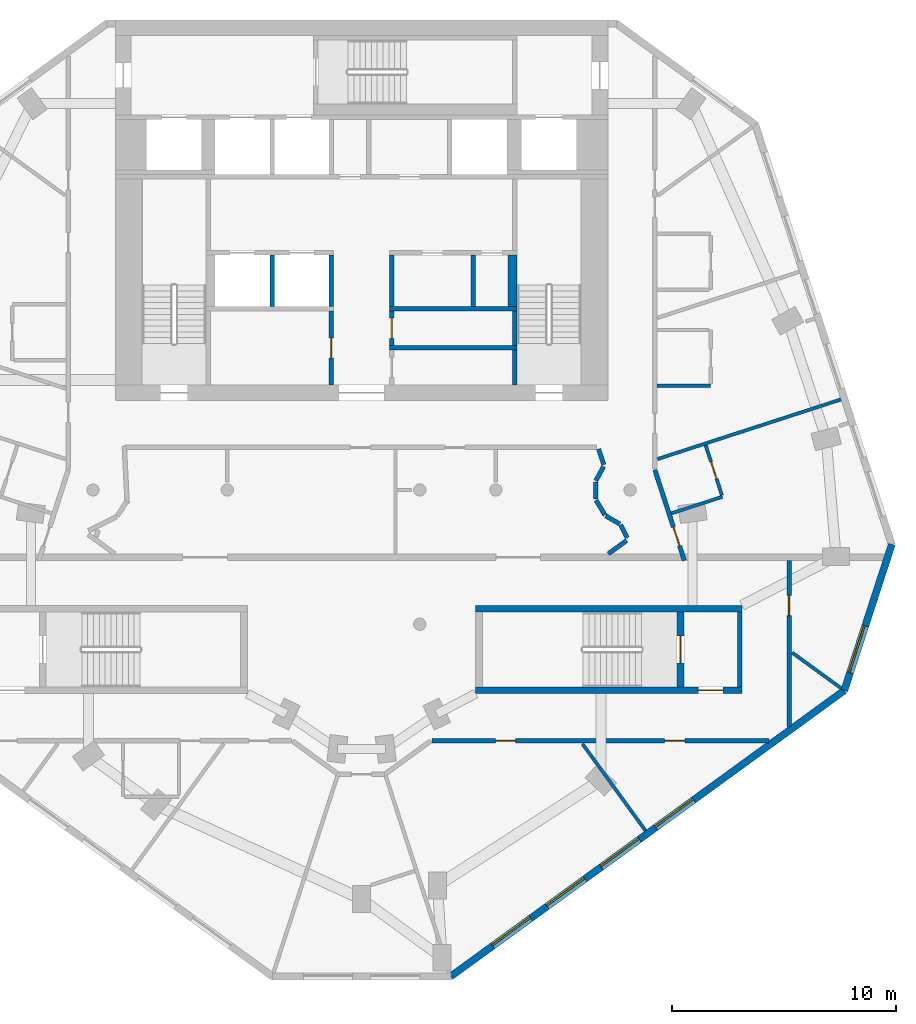
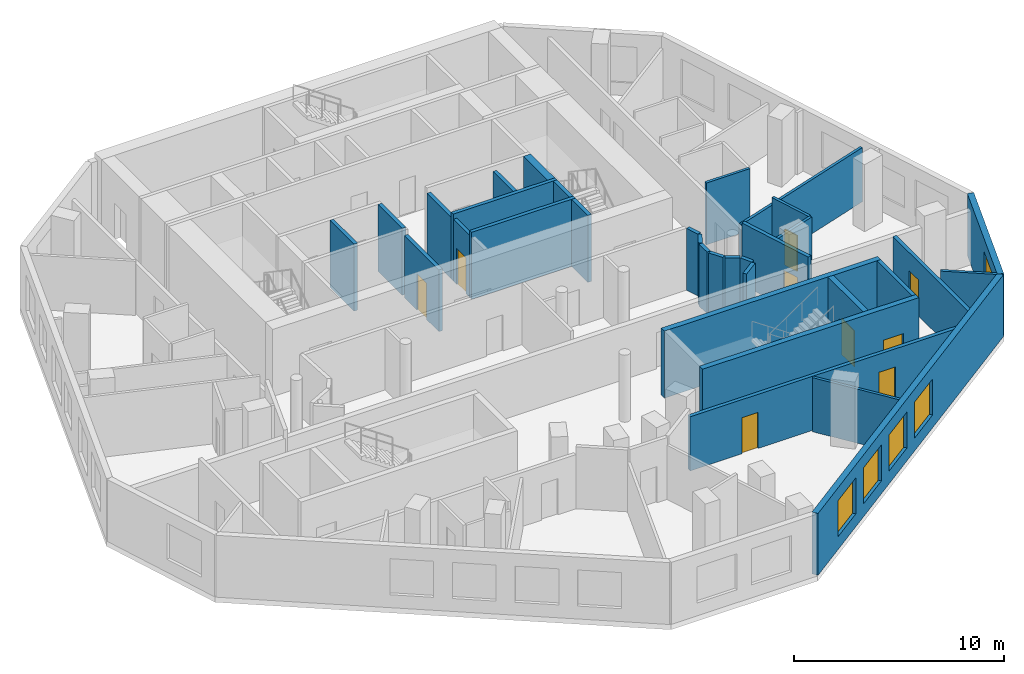
# One storey, part 4 of 9: 33 walls, 9 doors, 5 windows, 14 openings.
"""IFC4 building model written with IfcOpenShell, lengths in metres."""

from ifc_helpers import new_model, si_unit, direction, frame, frame_2d, origin, place, context, subcontext, project, spatial, rectangle, extrude, material, layer, layer_set, type_object, element, fill, save


model = new_model("IFC4")

# Units and contexts
model_context = context("Model", 3, precision=1e-05, world=origin(), true_north=direction((0.0, 1.0)))
body_context = subcontext(model_context, "Body", "Model", "MODEL_VIEW")
ifc_project = project(units=[si_unit("LENGTHUNIT", "METRE"), si_unit("AREAUNIT", "SQUARE_METRE"), si_unit("VOLUMEUNIT", "CUBIC_METRE"), si_unit("PLANEANGLEUNIT", "RADIAN"), si_unit("MASSUNIT", "GRAM", prefix="KILO")], contexts=[model_context])

# Site, building, storey
site_placement = place(None, origin())
site = spatial("IfcSite", under=ifc_project, at=site_placement, CompositionType="ELEMENT")
building_placement = place(site_placement, origin())
building = spatial("IfcBuilding", under=site, at=building_placement, Name="White Candle Pilgrim Tower", CompositionType="ELEMENT")
storey_placement = place(building_placement, frame((0.0, 0.0, 256.10009765625)))
storey = spatial("IfcBuildingStorey", under=building, at=storey_placement, Name="L60", CompositionType="ELEMENT", Elevation=256.10009765625)

# Wall
ifc_material_1 = material(Name="Concrete C50/60", Category="concrete")
ifc_layer_1 = layer(ifc_material_1, 0.199951171875)
ifc_layer_set_1 = layer_set([ifc_layer_1], Name="Core wall 200 mm Concrete C50/60")
wall_type_1 = type_object("IfcWallType", Name="Core wall 200 mm Concrete C50/60", PredefinedType="SHEAR", material=ifc_layer_set_1)
wall_1_placement = place(storey_placement, frame((86.89990234375, 58.199951171875, 0.0), z_axis=(0.0, 0.0, 1.0), x_axis=(0.0, 1.0, 0.0)))
element("IfcWall", 1, at=wall_1_placement, inside=storey, type_object=wall_type_1, Name="WL-L60-C08", PredefinedType="SHEAR", context=body_context, shape_type="SweptSolid", body=[
    extrude(rectangle(XDim=3.35009765625, YDim=0.199951171875, at=frame_2d((1.675048828125, 0.0))), origin(), (0.0, 0.0, 1.0), 3.89990234375),
])

# Wall, opening, door
ifc_material_2 = material(Name="Gypsum board on steel studs", Category="steel")
ifc_layer_2 = layer(ifc_material_2, 0.199951171875)
ifc_layer_set_2 = layer_set([ifc_layer_2], Name="Corridor wall 200 mm EI 45")
wall_type_2 = type_object("IfcWallType", Name="Corridor wall 200 mm EI 45", PredefinedType="PARTITIONING", material=ifc_layer_set_2)
wall_2_placement = place(storey_placement, frame((83.10498046875, 67.8974609375, 0.0), z_axis=(0.0, 0.0, 1.0), x_axis=(0.308990077211, -0.951065261791, 0.0)))
wall_2 = element("IfcWall", 2, at=wall_2_placement, inside=storey, type_object=wall_type_2, Name="WL-L60-P005", PredefinedType="PARTITIONING", context=body_context, shape_type="SweptSolid", body=[
    extrude(rectangle(XDim=4.255615234375, YDim=0.199951171875, at=frame_2d((2.1279296875, 0.0))), origin(), (0.0, 0.0, 1.0), 3.599853515625),
])
opening_1_placement = place(wall_2_placement, frame((2.675537109375, 0.0, 0.0)))
opening_1 = element("IfcOpeningElement", 3, at=opening_1_placement, cuts=wall_2, Name="Opening T18-124", PredefinedType="OPENING", context=body_context, shape_type="SweptSolid", body=[
    extrude(rectangle(XDim=0.89990234375, YDim=2.10009765625, at=frame_2d((0.449951171875, 1.050048828125))), frame((0.0, 0.10986328125, 0.0), z_axis=(0.0, -1.0, 0.0), x_axis=(1.0, 0.0, 0.0)), (0.0, 0.0, 1.0), 0.219970703125),
])
ifc_material_3 = material(Name="Steel door leaf", Category="steel")
door_type_1 = type_object("IfcDoorType", Name="Fire door 900 x 2100 EI 30", OperationType="NOTDEFINED", PredefinedType="DOOR", material=ifc_material_3)
door_1_placement = place(opening_1_placement, origin())
door_1 = element("IfcDoor", 4, at=door_1_placement, inside=storey, type_object=door_type_1, Name="Door T18-124", OperationType="SINGLE_SWING_RIGHT", OverallHeight=2.10009765625, OverallWidth=0.89990234375, PredefinedType="DOOR", context=body_context, shape_type="SweptSolid", body=[
    extrude(rectangle(XDim=0.89990234375, YDim=2.10009765625, at=frame_2d((0.449951171875, 1.050048828125))), frame((0.0, 0.02490234375, 0.0), z_axis=(0.0, -1.0, 0.0), x_axis=(1.0, 0.0, 0.0)), (0.0, 0.0, 1.0), 0.050048828125),
])
fill(opening_1, door_1)

wall_3_placement = place(storey_placement, frame((89.10009765625, 63.85009765625, 0.0), z_axis=(0.0, 0.0, 1.0), x_axis=(0.0, -1.0, 0.0)))
wall_3 = element("IfcWall", 5, at=wall_3_placement, inside=storey, type_object=wall_type_2, Name="WL-L60-P006", PredefinedType="PARTITIONING", context=body_context, shape_type="SweptSolid", body=[
    extrude(rectangle(XDim=7.40673828125, YDim=0.199951171875, at=frame_2d((3.703369140625, 0.0))), origin(), (0.0, 0.0, 1.0), 3.14990234375),
])
opening_2_placement = place(wall_3_placement, frame((1.5576171875, 0.0, 0.0)))
opening_2 = element("IfcOpeningElement", 6, at=opening_2_placement, cuts=wall_3, Name="Opening T18-111", PredefinedType="OPENING", context=body_context, shape_type="SweptSolid", body=[
    extrude(rectangle(XDim=0.89990234375, YDim=2.10009765625, at=frame_2d((0.449951171875, 1.050048828125))), frame((0.0, 0.10986328125, 0.0), z_axis=(0.0, -1.0, 0.0), x_axis=(1.0, 0.0, 0.0)), (0.0, 0.0, 1.0), 0.219970703125),
])
door_2_placement = place(opening_2_placement, origin())
door_2 = element("IfcDoor", 7, at=door_2_placement, inside=storey, type_object=door_type_1, Name="Door T18-111", OperationType="SINGLE_SWING_LEFT", OverallHeight=2.10009765625, OverallWidth=0.89990234375, PredefinedType="DOOR", context=body_context, shape_type="SweptSolid", body=[
    extrude(rectangle(XDim=0.89990234375, YDim=2.10009765625, at=frame_2d((0.449951171875, 1.050048828125))), frame((0.0, 0.02490234375, 0.0), z_axis=(0.0, -1.0, 0.0), x_axis=(1.0, 0.0, 0.0)), (0.0, 0.0, 1.0), 0.050048828125),
])
fill(opening_2, door_2)

# Wall, openings, doors
wall_4_placement = place(storey_placement, frame((88.21435546875, 55.800048828125, 0.0), z_axis=(0.0, 0.0, 1.0), x_axis=(-1.0, 0.0, 0.0)))
wall_4 = element("IfcWall", 8, at=wall_4_placement, inside=storey, type_object=wall_type_2, Name="WL-L60-P007", PredefinedType="PARTITIONING", context=body_context, shape_type="SweptSolid", body=[
    extrude(rectangle(XDim=15.074951171875, YDim=0.199951171875, at=frame_2d((7.53759765625, 0.0))), origin(), (0.0, 0.0, 1.0), 3.14990234375),
])
opening_3_placement = place(wall_4_placement, frame((11.327392578125, 0.0, 0.0)))
opening_3 = element("IfcOpeningElement", 9, at=opening_3_placement, cuts=wall_4, Name="Opening T18-109", PredefinedType="OPENING", context=body_context, shape_type="SweptSolid", body=[
    extrude(rectangle(XDim=0.89990234375, YDim=2.10009765625, at=frame_2d((0.449951171875, 1.050048828125))), frame((0.0, 0.10986328125, 0.0), z_axis=(0.0, -1.0, 0.0), x_axis=(1.0, 0.0, 0.0)), (0.0, 0.0, 1.0), 0.219970703125),
])
opening_4_placement = place(wall_4_placement, frame((3.773681640625, 0.0, 0.0)))
opening_4 = element("IfcOpeningElement", 10, at=opening_4_placement, cuts=wall_4, Name="Opening T18-110", PredefinedType="OPENING", context=body_context, shape_type="SweptSolid", body=[
    extrude(rectangle(XDim=0.89990234375, YDim=2.10009765625, at=frame_2d((0.449951171875, 1.050048828125))), frame((0.0, 0.10986328125, 0.0), z_axis=(0.0, -1.0, 0.0), x_axis=(1.0, 0.0, 0.0)), (0.0, 0.0, 1.0), 0.219970703125),
])
door_3_placement = place(opening_3_placement, origin())
door_3 = element("IfcDoor", 11, at=door_3_placement, inside=storey, type_object=door_type_1, Name="Door T18-109", OperationType="SINGLE_SWING_LEFT", OverallHeight=2.10009765625, OverallWidth=0.89990234375, PredefinedType="DOOR", context=body_context, shape_type="SweptSolid", body=[
    extrude(rectangle(XDim=0.89990234375, YDim=2.10009765625, at=frame_2d((0.449951171875, 1.050048828125))), frame((0.0, 0.02490234375, 0.0), z_axis=(0.0, -1.0, 0.0), x_axis=(1.0, 0.0, 0.0)), (0.0, 0.0, 1.0), 0.050048828125),
])
fill(opening_3, door_3)
door_4_placement = place(opening_4_placement, origin())
door_4 = element("IfcDoor", 12, at=door_4_placement, inside=storey, type_object=door_type_1, Name="Door T18-110", OperationType="SINGLE_SWING_RIGHT", OverallHeight=2.10009765625, OverallWidth=0.89990234375, PredefinedType="DOOR", context=body_context, shape_type="SweptSolid", body=[
    extrude(rectangle(XDim=0.89990234375, YDim=2.10009765625, at=frame_2d((0.449951171875, 1.050048828125))), frame((0.0, 0.02490234375, 0.0), z_axis=(0.0, -1.0, 0.0), x_axis=(1.0, 0.0, 0.0)), (0.0, 0.0, 1.0), 0.050048828125),
])
fill(opening_4, door_4)

# Walls
wall_5_placement = place(storey_placement, frame((81.539306640625, 65.480224609375, 0.0), z_axis=(0.0, 0.0, 1.0), x_axis=(-0.866039913117, 0.499974868256, 0.0)))
element("IfcWall", 13, at=wall_5_placement, inside=storey, type_object=wall_type_2, Name="WL-L60-P013", PredefinedType="PARTITIONING", context=body_context, shape_type="SweptSolid", body=[
    extrude(rectangle(XDim=0.7255859375, YDim=0.199951171875, at=frame_2d((0.36279296875, 0.0))), origin(), (0.0, 0.0, 1.0), 3.599853515625),
])
wall_6_placement = place(storey_placement, frame((80.875, 65.87841796875, 0.0), z_axis=(0.0, 0.0, 1.0), x_axis=(-0.512310997374, 0.858800001147, 0.0)))
element("IfcWall", 14, at=wall_6_placement, inside=storey, type_object=wall_type_2, Name="WL-L60-P014", PredefinedType="PARTITIONING", context=body_context, shape_type="SweptSolid", body=[
    extrude(rectangle(XDim=0.77294921875, YDim=0.199951171875, at=frame_2d((0.386474609375, 0.0))), origin(), (0.0, 0.0, 1.0), 3.599853515625),
])
wall_7_placement = place(storey_placement, frame((80.46484375, 66.592041015625, 0.0), z_axis=(0.0, 0.0, 1.0), x_axis=(-0.014221064918, 0.999898875543, 0.0)))
element("IfcWall", 15, at=wall_7_placement, inside=storey, type_object=wall_type_2, Name="WL-L60-P015", PredefinedType="PARTITIONING", context=body_context, shape_type="SweptSolid", body=[
    extrude(rectangle(XDim=0.7724609375, YDim=0.199951171875, at=frame_2d((0.38623046875, 0.0))), origin(), (0.0, 0.0, 1.0), 3.599853515625),
])
wall_8_placement = place(storey_placement, frame((80.466064453125, 67.413818359375, 0.0), z_axis=(0.0, 0.0, 1.0), x_axis=(0.479205511967, 0.877702727181, 0.0)))
element("IfcWall", 16, at=wall_8_placement, inside=storey, type_object=wall_type_2, Name="WL-L60-P016", PredefinedType="PARTITIONING", context=body_context, shape_type="SweptSolid", body=[
    extrude(rectangle(XDim=0.72607421875, YDim=0.199951171875, at=frame_2d((0.363037109375, 0.0))), origin(), (0.0, 0.0, 1.0), 3.599853515625),
])
wall_9_placement = place(storey_placement, frame((80.8212890625, 68.1298828125, 0.0), z_axis=(0.0, 0.0, 1.0), x_axis=(-0.309063601395, 0.951041371494, 0.0)))
element("IfcWall", 17, at=wall_9_placement, inside=storey, type_object=wall_type_2, Name="WL-L60-P017", PredefinedType="PARTITIONING", context=body_context, shape_type="SweptSolid", body=[
    extrude(rectangle(XDim=0.737060546875, YDim=0.199951171875, at=frame_2d((0.36865234375, 0.0))), origin(), (0.0, 0.0, 1.0), 3.599853515625),
])
wall_10_placement = place(storey_placement, frame((81.02685546875, 64.14990234375, 0.0), z_axis=(0.0, 0.0, 1.0), x_axis=(0.808967693003, 0.587853103826, 0.0)))
element("IfcWall", 18, at=wall_10_placement, inside=storey, type_object=wall_type_2, Name="WL-L60-P023", PredefinedType="PARTITIONING", context=body_context, shape_type="SweptSolid", body=[
    extrude(rectangle(XDim=1.00244140625, YDim=0.199951171875, at=frame_2d((0.501220703125, 0.0))), origin(), (0.0, 0.0, 1.0), 3.599853515625),
])
wall_11_placement = place(storey_placement, frame((81.868408203125, 64.865234375, 0.0), z_axis=(0.0, 0.0, 1.0), x_axis=(-0.451009131745, 0.892519334851, 0.0)))
element("IfcWall", 19, at=wall_11_placement, inside=storey, type_object=wall_type_2, Name="WL-L60-P024", PredefinedType="PARTITIONING", context=body_context, shape_type="SweptSolid", body=[
    extrude(rectangle(XDim=0.642578125, YDim=0.199951171875, at=frame_2d((0.3212890625, 0.0))), origin(), (0.0, 0.0, 1.0), 3.599853515625),
])

# Wall, openings, windows
ifc_material_4 = material(Name="Precast concrete C40/50", Category="concrete")
ifc_layer_3 = layer(ifc_material_4, 0.320068359375)
ifc_layer_set_3 = layer_set([ifc_layer_3], Name="Facade wall EW1 precast concrete C40/50 pier wall with timber-lined reveals")
wall_type_3 = type_object("IfcWallType", Name="Facade wall EW1 precast concrete C40/50 pier wall with timber-lined reveals", PredefinedType="SOLIDWALL", material=ifc_layer_set_3)
wall_12_placement = place(storey_placement, frame((73.98876953125, 45.2666015625, 0.0), z_axis=(0.0, 0.0, 1.0), x_axis=(0.809018242367, 0.587783534575, 0.0)))
wall_12 = element("IfcWall", 20, at=wall_12_placement, inside=storey, type_object=wall_type_3, Name="Facade wall L60 SE", PredefinedType="SOLIDWALL", context=body_context, shape_type="SweptSolid", body=[
    extrude(rectangle(XDim=21.73193359375, YDim=0.320068359375, at=frame_2d((10.865966796875, 0.0))), origin(), (0.0, 0.0, 1.0), 3.599853515625),
])
opening_5_placement = place(wall_12_placement, frame((2.31591796875, 0.0, 0.75)))
opening_5 = element("IfcOpeningElement", 21, at=opening_5_placement, cuts=wall_12, Name="Opening W3", PredefinedType="OPENING", context=body_context, shape_type="SweptSolid", body=[
    extrude(rectangle(XDim=2.10009765625, YDim=2.10009765625, at=frame_2d((1.050048828125, 1.050048828125))), frame((0.0, 0.169921875, 0.0), z_axis=(0.0, -1.0, 0.0), x_axis=(1.0, 0.0, 0.0)), (0.0, 0.0, 1.0), 0.340087890625),
])
opening_6_placement = place(wall_12_placement, frame((5.31591796875, 0.0, 0.75)))
opening_6 = element("IfcOpeningElement", 22, at=opening_6_placement, cuts=wall_12, Name="Opening W3", PredefinedType="OPENING", context=body_context, shape_type="SweptSolid", body=[
    extrude(rectangle(XDim=2.10009765625, YDim=2.10009765625, at=frame_2d((1.050048828125, 1.050048828125))), frame((0.0, 0.169921875, 0.0), z_axis=(0.0, -1.0, 0.0), x_axis=(1.0, 0.0, 0.0)), (0.0, 0.0, 1.0), 0.340087890625),
])
opening_7_placement = place(wall_12_placement, frame((8.31591796875, 0.0, 0.75)))
opening_7 = element("IfcOpeningElement", 23, at=opening_7_placement, cuts=wall_12, Name="Opening W3", PredefinedType="OPENING", context=body_context, shape_type="SweptSolid", body=[
    extrude(rectangle(XDim=2.10009765625, YDim=2.10009765625, at=frame_2d((1.050048828125, 1.050048828125))), frame((0.0, 0.169921875, 0.0), z_axis=(0.0, -1.0, 0.0), x_axis=(1.0, 0.0, 0.0)), (0.0, 0.0, 1.0), 0.340087890625),
])
opening_8_placement = place(wall_12_placement, frame((11.31591796875, 0.0, 0.75)))
opening_8 = element("IfcOpeningElement", 24, at=opening_8_placement, cuts=wall_12, Name="Opening W3", PredefinedType="OPENING", context=body_context, shape_type="SweptSolid", body=[
    extrude(rectangle(XDim=2.10009765625, YDim=2.10009765625, at=frame_2d((1.050048828125, 1.050048828125))), frame((0.0, 0.169921875, 0.0), z_axis=(0.0, -1.0, 0.0), x_axis=(1.0, 0.0, 0.0)), (0.0, 0.0, 1.0), 0.340087890625),
])
ifc_material_5 = material(Name="Timber frame with triple glazing", Category="wood")
window_type_1 = type_object("IfcWindowType", Name="Window W3 2100x2100 timber frame triple glazing", PartitioningType="SINGLE_PANEL", PredefinedType="WINDOW", material=ifc_material_5)
window_1_placement = place(opening_5_placement, origin())
window_1 = element("IfcWindow", 25, at=window_1_placement, inside=storey, type_object=window_type_1, Name="Window W3 L60 SE 1", OverallHeight=2.10009765625, OverallWidth=2.10009765625, PartitioningType="SINGLE_PANEL", PredefinedType="WINDOW", context=body_context, shape_type="SweptSolid", body=[
    extrude(rectangle(XDim=2.10009765625, YDim=2.10009765625, at=frame_2d((1.050048828125, 1.050048828125))), frame((0.0, 0.070068359375, 0.0), z_axis=(0.0, -1.0, 0.0), x_axis=(1.0, 0.0, 0.0)), (0.0, 0.0, 1.0), 0.06005859375),
])
fill(opening_5, window_1)
window_2_placement = place(opening_6_placement, origin())
window_2 = element("IfcWindow", 26, at=window_2_placement, inside=storey, type_object=window_type_1, Name="Window W3 L60 SE 2", OverallHeight=2.10009765625, OverallWidth=2.10009765625, PartitioningType="SINGLE_PANEL", PredefinedType="WINDOW", context=body_context, shape_type="SweptSolid", body=[
    extrude(rectangle(XDim=2.10009765625, YDim=2.10009765625, at=frame_2d((1.050048828125, 1.050048828125))), frame((0.0, 0.070068359375, 0.0), z_axis=(0.0, -1.0, 0.0), x_axis=(1.0, 0.0, 0.0)), (0.0, 0.0, 1.0), 0.06005859375),
])
fill(opening_6, window_2)
window_3_placement = place(opening_7_placement, origin())
window_3 = element("IfcWindow", 27, at=window_3_placement, inside=storey, type_object=window_type_1, Name="Window W3 L60 SE 3", OverallHeight=2.10009765625, OverallWidth=2.10009765625, PartitioningType="SINGLE_PANEL", PredefinedType="WINDOW", context=body_context, shape_type="SweptSolid", body=[
    extrude(rectangle(XDim=2.10009765625, YDim=2.10009765625, at=frame_2d((1.050048828125, 1.050048828125))), frame((0.0, 0.070068359375, 0.0), z_axis=(0.0, -1.0, 0.0), x_axis=(1.0, 0.0, 0.0)), (0.0, 0.0, 1.0), 0.06005859375),
])
fill(opening_7, window_3)
window_4_placement = place(opening_8_placement, origin())
window_4 = element("IfcWindow", 28, at=window_4_placement, inside=storey, type_object=window_type_1, Name="Window W3 L60 SE 4", OverallHeight=2.10009765625, OverallWidth=2.10009765625, PartitioningType="SINGLE_PANEL", PredefinedType="WINDOW", context=body_context, shape_type="SweptSolid", body=[
    extrude(rectangle(XDim=2.10009765625, YDim=2.10009765625, at=frame_2d((1.050048828125, 1.050048828125))), frame((0.0, 0.070068359375, 0.0), z_axis=(0.0, -1.0, 0.0), x_axis=(1.0, 0.0, 0.0)), (0.0, 0.0, 1.0), 0.06005859375),
])
fill(opening_8, window_4)

# Wall, opening, window
wall_13_placement = place(storey_placement, frame((91.5703125, 58.040283203125, 0.0), z_axis=(0.0, 0.0, 1.0), x_axis=(0.309016913419, 0.951056542599, 0.0)))
wall_13 = element("IfcWall", 29, at=wall_13_placement, inside=storey, type_object=wall_type_3, Name="Facade wall L60 E chamfer", PredefinedType="SOLIDWALL", context=body_context, shape_type="SweptSolid", body=[
    extrude(rectangle(XDim=6.86474609375, YDim=0.320068359375, at=frame_2d((3.432373046875, 0.0))), origin(), (0.0, 0.0, 1.0), 3.599853515625),
])
opening_9_placement = place(wall_13_placement, frame((0.83251953125, 0.0, 0.75)))
opening_9 = element("IfcOpeningElement", 30, at=opening_9_placement, cuts=wall_13, Name="Opening W4", PredefinedType="OPENING", context=body_context, shape_type="SweptSolid", body=[
    extrude(rectangle(XDim=2.199951171875, YDim=2.10009765625, at=frame_2d((1.10009765625, 1.050048828125))), frame((0.0, 0.169921875, 0.0), z_axis=(0.0, -1.0, 0.0), x_axis=(1.0, 0.0, 0.0)), (0.0, 0.0, 1.0), 0.340087890625),
])
window_type_2 = type_object("IfcWindowType", Name="Window W4 2200x2100 timber frame triple glazing", PartitioningType="SINGLE_PANEL", PredefinedType="WINDOW", material=ifc_material_5)
window_5_placement = place(opening_9_placement, origin())
window_5 = element("IfcWindow", 31, at=window_5_placement, inside=storey, type_object=window_type_2, Name="Window W4 L60 E chamfer 1", OverallHeight=2.10009765625, OverallWidth=2.199951171875, PartitioningType="SINGLE_PANEL", PredefinedType="WINDOW", context=body_context, shape_type="SweptSolid", body=[
    extrude(rectangle(XDim=2.199951171875, YDim=2.10009765625, at=frame_2d((1.10009765625, 1.050048828125))), frame((0.0, 0.070068359375, 0.0), z_axis=(0.0, -1.0, 0.0), x_axis=(1.0, 0.0, 0.0)), (0.0, 0.0, 1.0), 0.06005859375),
])
fill(opening_9, window_5)

# Wall, opening, door
ifc_layer_4 = layer(ifc_material_2, 0.199951171875)
ifc_layer_set_4 = layer_set([ifc_layer_4], Name="Lobby wall 200 mm EI 60")
wall_type_4 = type_object("IfcWallType", Name="Lobby wall 200 mm EI 60", PredefinedType="PARTITIONING", material=ifc_layer_set_4)
wall_14_placement = place(storey_placement, frame((68.64990234375, 71.699951171875, 0.0), z_axis=(0.0, 0.0, 1.0), x_axis=(0.0, 1.0, 0.0)))
wall_14 = element("IfcWall", 32, at=wall_14_placement, inside=storey, type_object=wall_type_4, Name="WL-L60-C14", PredefinedType="PARTITIONING", context=body_context, shape_type="SweptSolid", body=[
    extrude(rectangle(XDim=3.300048828125, YDim=0.199951171875, at=frame_2d((1.64990234375, 0.0))), origin(), (0.0, 0.0, 1.0), 3.599853515625),
])
opening_10_placement = place(wall_14_placement, frame((1.199951171875, 0.0, 0.0)))
opening_10 = element("IfcOpeningElement", 33, at=opening_10_placement, cuts=wall_14, Name="Opening T18-005", PredefinedType="OPENING", context=body_context, shape_type="SweptSolid", body=[
    extrude(rectangle(XDim=0.89990234375, YDim=2.10009765625, at=frame_2d((0.449951171875, 1.050048828125))), frame((0.0, 0.10986328125, 0.0), z_axis=(0.0, -1.0, 0.0), x_axis=(1.0, 0.0, 0.0)), (0.0, 0.0, 1.0), 0.219970703125),
])
door_5_placement = place(opening_10_placement, origin())
door_5 = element("IfcDoor", 34, at=door_5_placement, inside=storey, type_object=door_type_1, Name="Door T18-005", OperationType="SINGLE_SWING_LEFT", OverallHeight=2.10009765625, OverallWidth=0.89990234375, PredefinedType="DOOR", context=body_context, shape_type="SweptSolid", body=[
    extrude(rectangle(XDim=0.89990234375, YDim=2.10009765625, at=frame_2d((0.449951171875, 1.050048828125))), frame((0.0, 0.02490234375, 0.0), z_axis=(0.0, -1.0, 0.0), x_axis=(1.0, 0.0, 0.0)), (0.0, 0.0, 1.0), 0.050048828125),
])
fill(opening_10, door_5)

wall_15_placement = place(storey_placement, frame((71.35009765625, 73.449951171875, 0.0), z_axis=(0.0, 0.0, 1.0), x_axis=(0.0, 1.0, 0.0)))
wall_15 = element("IfcWall", 35, at=wall_15_placement, inside=storey, type_object=wall_type_4, Name="WL-L60-C19", PredefinedType="PARTITIONING", context=body_context, shape_type="SweptSolid", body=[
    extrude(rectangle(XDim=1.550048828125, YDim=0.199951171875, at=frame_2d((0.77490234375, 0.0))), origin(), (0.0, 0.0, 1.0), 3.599853515625),
])
opening_11_placement = place(wall_15_placement, frame((0.324951171875, 0.0, 0.0)))
opening_11 = element("IfcOpeningElement", 36, at=opening_11_placement, cuts=wall_15, Name="Opening T18-007", PredefinedType="OPENING", context=body_context, shape_type="SweptSolid", body=[
    extrude(rectangle(XDim=0.89990234375, YDim=2.10009765625, at=frame_2d((0.449951171875, 1.050048828125))), frame((0.0, 0.10986328125, 0.0), z_axis=(0.0, -1.0, 0.0), x_axis=(1.0, 0.0, 0.0)), (0.0, 0.0, 1.0), 0.219970703125),
])
door_6_placement = place(opening_11_placement, origin())
door_6 = element("IfcDoor", 37, at=door_6_placement, inside=storey, type_object=door_type_1, Name="Door T18-007", OperationType="SINGLE_SWING_LEFT", OverallHeight=2.10009765625, OverallWidth=0.89990234375, PredefinedType="DOOR", context=body_context, shape_type="SweptSolid", body=[
    extrude(rectangle(XDim=0.89990234375, YDim=2.10009765625, at=frame_2d((0.449951171875, 1.050048828125))), frame((0.0, 0.02490234375, 0.0), z_axis=(0.0, -1.0, 0.0), x_axis=(1.0, 0.0, 0.0)), (0.0, 0.0, 1.0), 0.050048828125),
])
fill(opening_11, door_6)

# Walls
for number, where, z_axis, x_axis, name in (
    (38, (71.35009765625, 75.199951171875, 0.0), (0.0, 0.0, 1.0), (0.0, 1.0, 0.0), "WL-L60-C26"),
    (39, (74.97998046875, 75.199951171875, 0.0), (0.0, 0.0, 1.0), (0.0, 1.0, 0.0), "WL-L60-C27"),
):
    element("IfcWall", number, at=place(storey_placement, frame(where, z_axis=z_axis, x_axis=x_axis)), inside=storey, type_object=wall_type_4, Name=name, PredefinedType="PARTITIONING", context=body_context, shape_type="SweptSolid", body=[
        extrude(rectangle(XDim=2.300048828125, YDim=0.199951171875, at=frame_2d((1.14990234375, 0.0))), origin(), (0.0, 0.0, 1.0), 3.599853515625),
    ])
ifc_layer_5 = layer(ifc_material_2, 0.14990234375)
ifc_layer_set_5 = layer_set([ifc_layer_5], Name="Partition 150 mm EI 60")
wall_type_5 = type_object("IfcWallType", Name="Partition 150 mm EI 60", PredefinedType="PARTITIONING", material=ifc_layer_set_5)
wall_16_placement = place(storey_placement, frame((91.43408203125, 58.13916015625, 0.0), z_axis=(0.0, 0.0, 1.0), x_axis=(-0.808977814749, 0.587839174642, 0.0)))
element("IfcWall", 40, at=wall_16_placement, inside=storey, type_object=wall_type_5, Name="WL-L60-P029", PredefinedType="PARTITIONING", context=body_context, shape_type="SweptSolid", body=[
    extrude(rectangle(XDim=2.70703125, YDim=0.14990234375, at=frame_2d((1.353515625, 0.0))), origin(), (0.0, 0.0, 1.0), 3.599853515625),
])
wall_17_placement = place(storey_placement, frame((82.685302734375, 51.782958984375, 0.0), z_axis=(0.0, 0.0, 1.0), x_axis=(-0.587756190128, 0.809038108476, 0.0)))
element("IfcWall", 41, at=wall_17_placement, inside=storey, type_object=wall_type_5, Name="WL-L60-P043", PredefinedType="PARTITIONING", context=body_context, shape_type="SweptSolid", body=[
    extrude(rectangle(XDim=4.787109375, YDim=0.14990234375, at=frame_2d((2.3935546875, 0.0))), origin(), (0.0, 0.0, 1.0), 3.14990234375),
])
wall_18_placement = place(storey_placement, frame((91.4189453125, 71.04541015625, 0.0), z_axis=(0.0, 0.0, 1.0), x_axis=(-0.951052804469, -0.309028417967, 0.0)))
element("IfcWall", 42, at=wall_18_placement, inside=storey, type_object=wall_type_5, Name="WL-L60-P044", PredefinedType="PARTITIONING", context=body_context, shape_type="SweptSolid", body=[
    extrude(rectangle(XDim=8.61767578125, YDim=0.14990234375, at=frame_2d((4.308837890625, 0.0))), origin(), (0.0, 0.0, 1.0), 3.14990234375),
])
wall_19_placement = place(storey_placement, frame((83.84130859375, 65.95458984375, 0.0), z_axis=(0.0, 0.0, 1.0), x_axis=(0.951046776628, 0.309046968381, 0.0)))
element("IfcWall", 43, at=wall_19_placement, inside=storey, type_object=wall_type_5, Name="WL-L60-P046", PredefinedType="PARTITIONING", context=body_context, shape_type="SweptSolid", body=[
    extrude(rectangle(XDim=2.39990234375, YDim=0.14990234375, at=frame_2d((1.199951171875, 0.0))), origin(), (0.0, 0.0, 1.0), 3.599853515625),
])

# Wall, opening, door
wall_20_placement = place(storey_placement, frame((85.37451171875, 69.002685546875, 0.0), z_axis=(0.0, 0.0, 1.0), x_axis=(0.308956872689, -0.951076048914, 0.0)))
wall_20 = element("IfcWall", 44, at=wall_20_placement, inside=storey, type_object=wall_type_5, Name="WL-L60-P047", PredefinedType="PARTITIONING", context=body_context, shape_type="SweptSolid", body=[
    extrude(rectangle(XDim=2.35009765625, YDim=0.14990234375, at=frame_2d((1.175048828125, 0.0))), origin(), (0.0, 0.0, 1.0), 3.599853515625),
])
opening_12_placement = place(wall_20_placement, frame((0.77490234375, 0.0, 0.0)))
opening_12 = element("IfcOpeningElement", 45, at=opening_12_placement, cuts=wall_20, Name="Opening T18-112", PredefinedType="OPENING", context=body_context, shape_type="SweptSolid", body=[
    extrude(rectangle(XDim=0.800048828125, YDim=2.10009765625, at=frame_2d((0.39990234375, 1.050048828125))), frame((0.0, 0.0849609375, 0.0), z_axis=(0.0, -1.0, 0.0), x_axis=(1.0, 0.0, 0.0)), (0.0, 0.0, 1.0), 0.169921875),
])
door_type_2 = type_object("IfcDoorType", Name="Fire door 800 x 2100 EI 30", OperationType="NOTDEFINED", PredefinedType="DOOR", material=ifc_material_3)
door_7_placement = place(opening_12_placement, origin())
door_7 = element("IfcDoor", 46, at=door_7_placement, inside=storey, type_object=door_type_2, Name="Door T18-112", OperationType="SINGLE_SWING_RIGHT", OverallHeight=2.10009765625, OverallWidth=0.800048828125, PredefinedType="DOOR", context=body_context, shape_type="SweptSolid", body=[
    extrude(rectangle(XDim=0.800048828125, YDim=2.10009765625, at=frame_2d((0.39990234375, 1.050048828125))), frame((0.0, 0.02490234375, 0.0), z_axis=(0.0, -1.0, 0.0), x_axis=(1.0, 0.0, 0.0)), (0.0, 0.0, 1.0), 0.050048828125),
])
fill(opening_12, door_7)

# Walls
wall_21_placement = place(storey_placement, frame((83.199951171875, 71.651123046875, 0.0), z_axis=(0.0, 0.0, 1.0), x_axis=(1.0, 0.0, 0.0)))
element("IfcWall", 47, at=wall_21_placement, inside=storey, type_object=wall_type_5, Name="WL-L60-P048", PredefinedType="PARTITIONING", context=body_context, shape_type="SweptSolid", body=[
    extrude(rectangle(XDim=2.400146484375, YDim=0.14990234375, at=frame_2d((1.2001953125, 0.0))), origin(), (0.0, 0.0, 1.0), 3.599853515625),
])
ifc_layer_6 = layer(ifc_material_1, 0.199951171875)
ifc_layer_set_6 = layer_set([ifc_layer_6], Name="Shaft wall 200 mm Concrete C50/60")
wall_type_6 = type_object("IfcWallType", Name="Shaft wall 200 mm Concrete C50/60", PredefinedType="SHEAR", material=ifc_layer_set_6)
for number, where, z_axis, x_axis, name in (
    (48, (66.0, 75.199951171875, 0.0), (0.0, 0.0, 1.0), (0.0, 1.0, 0.0), "WL-L60-C24"),
    (49, (68.64990234375, 75.199951171875, 0.0), (0.0, 0.0, 1.0), (0.0, 1.0, 0.0), "WL-L60-C25"),
):
    element("IfcWall", number, at=place(storey_placement, frame(where, z_axis=z_axis, x_axis=x_axis)), inside=storey, type_object=wall_type_6, Name=name, PredefinedType="SHEAR", context=body_context, shape_type="SweptSolid", body=[
        extrude(rectangle(XDim=2.300048828125, YDim=0.199951171875, at=frame_2d((1.14990234375, 0.0))), origin(), (0.0, 0.0, 1.0), 3.89990234375),
    ])
ifc_layer_7 = layer(ifc_material_1, 0.199951171875)
ifc_layer_set_7 = layer_set([ifc_layer_7], Name="Stair shaft wall 200 mm Concrete C50/60")
wall_type_7 = type_object("IfcWallType", Name="Stair shaft wall 200 mm Concrete C50/60", PredefinedType="SHEAR", material=ifc_layer_set_7)
wall_22_placement = place(storey_placement, frame((76.85009765625, 71.699951171875, 0.0), z_axis=(0.0, 0.0, 1.0), x_axis=(0.0, 1.0, 0.0)))
element("IfcWall", 50, at=wall_22_placement, inside=storey, type_object=wall_type_7, Name="WL-L60-C16", PredefinedType="SHEAR", context=body_context, shape_type="SweptSolid", body=[
    extrude(rectangle(XDim=1.550048828125, YDim=0.199951171875, at=frame_2d((0.77490234375, 0.0))), origin(), (0.0, 0.0, 1.0), 3.89990234375),
])
wall_23_placement = place(storey_placement, frame((71.25, 73.35009765625, 0.0), z_axis=(0.0, 0.0, 1.0), x_axis=(1.0, 0.0, 0.0)))
element("IfcWall", 51, at=wall_23_placement, inside=storey, type_object=wall_type_7, Name="WL-L60-C18", PredefinedType="SHEAR", context=body_context, shape_type="SweptSolid", body=[
    extrude(rectangle(XDim=5.699951171875, YDim=0.199951171875, at=frame_2d((2.85009765625, 0.0))), origin(), (0.0, 0.0, 1.0), 3.89990234375),
])
wall_24_placement = place(storey_placement, frame((76.85009765625, 73.449951171875, 0.0), z_axis=(0.0, 0.0, 1.0), x_axis=(0.0, 1.0, 0.0)))
element("IfcWall", 52, at=wall_24_placement, inside=storey, type_object=wall_type_7, Name="WL-L60-C20", PredefinedType="SHEAR", context=body_context, shape_type="SweptSolid", body=[
    extrude(rectangle(XDim=1.550048828125, YDim=0.199951171875, at=frame_2d((0.77490234375, 0.0))), origin(), (0.0, 0.0, 1.0), 3.89990234375),
])
wall_25_placement = place(storey_placement, frame((71.25, 75.10009765625, 0.0), z_axis=(0.0, 0.0, 1.0), x_axis=(1.0, 0.0, 0.0)))
element("IfcWall", 53, at=wall_25_placement, inside=storey, type_object=wall_type_7, Name="WL-L60-C22", PredefinedType="SHEAR", context=body_context, shape_type="SweptSolid", body=[
    extrude(rectangle(XDim=5.699951171875, YDim=0.199951171875, at=frame_2d((2.85009765625, 0.0))), origin(), (0.0, 0.0, 1.0), 3.89990234375),
])

# Wall, opening, door
ifc_layer_8 = layer(ifc_material_1, 0.300048828125)
ifc_layer_set_8 = layer_set([ifc_layer_8], Name="Stair shaft wall 300 mm Concrete C50/60")
wall_type_8 = type_object("IfcWallType", Name="Stair shaft wall 300 mm Concrete C50/60", PredefinedType="SHEAR", material=ifc_layer_set_8)
wall_26_placement = place(storey_placement, frame((75.10009765625, 58.050048828125, 0.0), z_axis=(0.0, 0.0, 1.0), x_axis=(1.0, 0.0, 0.0)))
wall_26 = element("IfcWall", 54, at=wall_26_placement, inside=storey, type_object=wall_type_8, Name="WL-L60-C02", PredefinedType="SHEAR", context=body_context, shape_type="SweptSolid", body=[
    extrude(rectangle(XDim=11.89990234375, YDim=0.300048828125, at=frame_2d((5.949951171875, 0.0))), origin(), (0.0, 0.0, 1.0), 3.89990234375),
])
opening_13_placement = place(wall_26_placement, frame((9.949951171875, 0.0, 0.0)))
opening_13 = element("IfcOpeningElement", 55, at=opening_13_placement, cuts=wall_26, Name="Opening T18-012", PredefinedType="OPENING", context=body_context, shape_type="SweptSolid", body=[
    extrude(rectangle(XDim=1.10009765625, YDim=2.10009765625, at=frame_2d((0.550048828125, 1.050048828125))), frame((0.0, 0.159912109375, 0.0), z_axis=(0.0, -1.0, 0.0), x_axis=(1.0, 0.0, 0.0)), (0.0, 0.0, 1.0), 0.320068359375),
])
door_type_3 = type_object("IfcDoorType", Name="Fire door 1100 x 2100 EI 60", OperationType="NOTDEFINED", PredefinedType="DOOR", material=ifc_material_3)
door_8_placement = place(opening_13_placement, origin())
door_8 = element("IfcDoor", 56, at=door_8_placement, inside=storey, type_object=door_type_3, Name="Door T18-012", OperationType="SINGLE_SWING_RIGHT", OverallHeight=2.10009765625, OverallWidth=1.10009765625, PredefinedType="DOOR", context=body_context, shape_type="SweptSolid", body=[
    extrude(rectangle(XDim=1.10009765625, YDim=2.10009765625, at=frame_2d((0.550048828125, 1.050048828125))), frame((0.0, 0.02490234375, 0.0), z_axis=(0.0, -1.0, 0.0), x_axis=(1.0, 0.0, 0.0)), (0.0, 0.0, 1.0), 0.050048828125),
])
fill(opening_13, door_8)

wall_27_placement = place(storey_placement, frame((84.25, 58.199951171875, 0.0), z_axis=(0.0, 0.0, 1.0), x_axis=(0.0, 1.0, 0.0)))
wall_27 = element("IfcWall", 57, at=wall_27_placement, inside=storey, type_object=wall_type_8, Name="WL-L60-C07", PredefinedType="SHEAR", context=body_context, shape_type="SweptSolid", body=[
    extrude(rectangle(XDim=3.35009765625, YDim=0.300048828125, at=frame_2d((1.675048828125, 0.0))), origin(), (0.0, 0.0, 1.0), 3.89990234375),
])
opening_14_placement = place(wall_27_placement, frame((1.074951171875, 0.0, 0.0)))
opening_14 = element("IfcOpeningElement", 58, at=opening_14_placement, cuts=wall_27, Name="Opening T18-013", PredefinedType="OPENING", context=body_context, shape_type="SweptSolid", body=[
    extrude(rectangle(XDim=1.199951171875, YDim=2.10009765625, at=frame_2d((0.60009765625, 1.050048828125))), frame((0.0, 0.159912109375, 0.0), z_axis=(0.0, -1.0, 0.0), x_axis=(1.0, 0.0, 0.0)), (0.0, 0.0, 1.0), 0.320068359375),
])
door_type_4 = type_object("IfcDoorType", Name="Fire door 1200 x 2100 EI 60", OperationType="NOTDEFINED", PredefinedType="DOOR", material=ifc_material_3)
door_9_placement = place(opening_14_placement, origin())
door_9 = element("IfcDoor", 59, at=door_9_placement, inside=storey, type_object=door_type_4, Name="Door T18-013", OperationType="SINGLE_SWING_LEFT", OverallHeight=2.10009765625, OverallWidth=1.199951171875, PredefinedType="DOOR", context=body_context, shape_type="SweptSolid", body=[
    extrude(rectangle(XDim=1.199951171875, YDim=2.10009765625, at=frame_2d((0.60009765625, 1.050048828125))), frame((0.0, 0.02490234375, 0.0), z_axis=(0.0, -1.0, 0.0), x_axis=(1.0, 0.0, 0.0)), (0.0, 0.0, 1.0), 0.050048828125),
])
fill(opening_14, door_9)

# Walls
wall_28_placement = place(storey_placement, frame((75.10009765625, 61.699951171875, 0.0), z_axis=(0.0, 0.0, 1.0), x_axis=(1.0, 0.0, 0.0)))
element("IfcWall", 60, at=wall_28_placement, inside=storey, type_object=wall_type_8, Name="WL-L60-C10", PredefinedType="SHEAR", context=body_context, shape_type="SweptSolid", body=[
    extrude(rectangle(XDim=11.89990234375, YDim=0.300048828125, at=frame_2d((5.949951171875, 0.0))), origin(), (0.0, 0.0, 1.0), 3.89990234375),
])
ifc_layer_9 = layer(ifc_material_1, 0.39990234375)
ifc_layer_set_9 = layer_set([ifc_layer_9], Name="Stair shaft wall 400 mm Concrete C50/60")
wall_type_9 = type_object("IfcWallType", Name="Stair shaft wall 400 mm Concrete C50/60", PredefinedType="SHEAR", material=ifc_layer_set_9)
wall_29_placement = place(storey_placement, frame((76.75, 75.199951171875, 0.0), z_axis=(0.0, 0.0, 1.0), x_axis=(0.0, 1.0, 0.0)))
element("IfcWall", 61, at=wall_29_placement, inside=storey, type_object=wall_type_9, Name="WL-L60-C28", PredefinedType="SHEAR", context=body_context, shape_type="SweptSolid", body=[
    extrude(rectangle(XDim=2.300048828125, YDim=0.39990234375, at=frame_2d((1.14990234375, 0.0))), origin(), (0.0, 0.0, 1.0), 3.89990234375),
])

save(model, "model.ifc")
